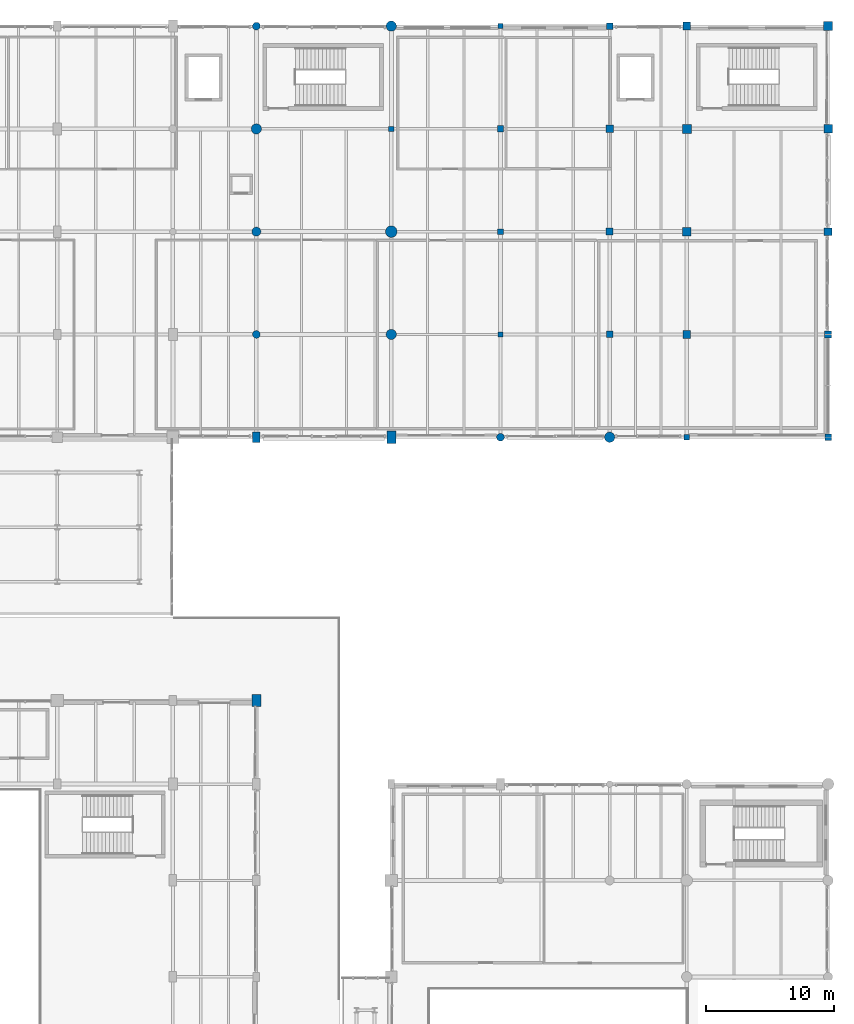
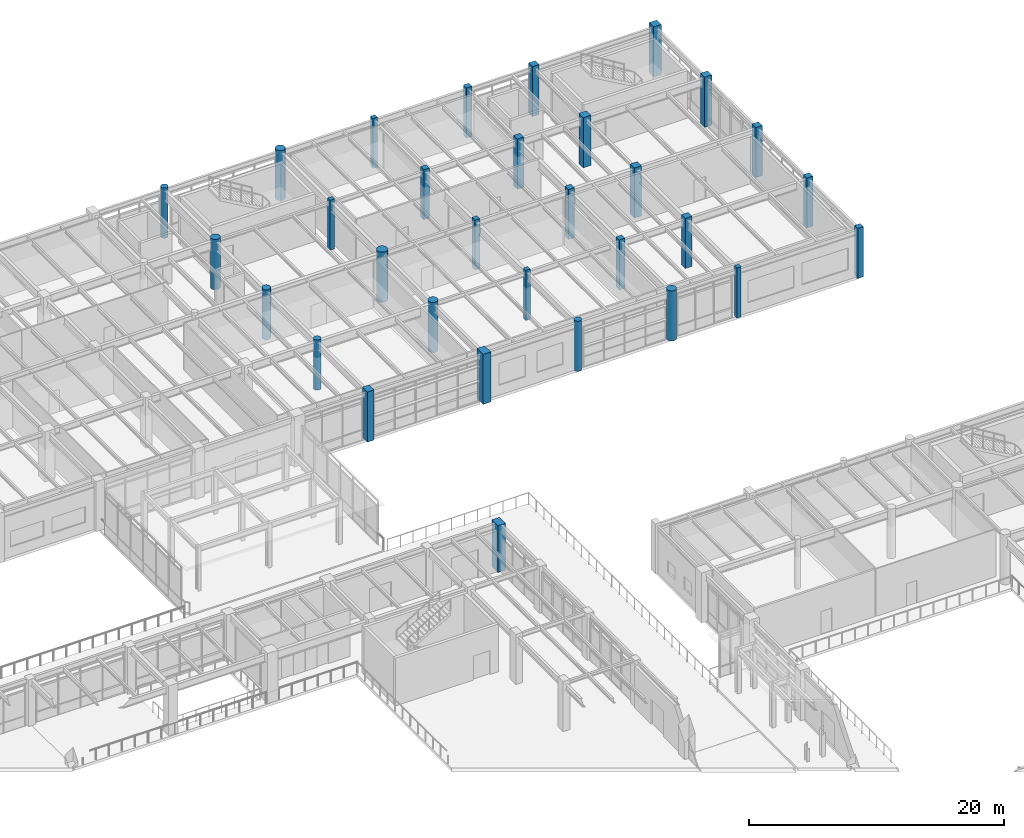
# One storey, part 16 of 200: 31 columns.
"""IFC4 building model written with IfcOpenShell, lengths in metres."""

import ifcopenshell
import ifcopenshell.guid

model = None  # the IFC model being written
_history = None  # IfcOwnerHistory: only IFC2X3 demands one
_inside = {}  # id of a spatial element -> (the spatial element, [elements in it])
_under = {}  # id of a project, library or spatial element -> (it, [spatial elements below it])
_declared = {}  # id of a project -> (the project, [libraries it declares])
_typed = {}  # id of a type object -> (the type object, [elements of that type])
_made_of = {}  # id of a material, layer set ... -> (it, [elements and type objects made of it])


def new_model(schema):
    """Start an empty IFC model of exactly this schema.

    Asked for "IFC4X3", IfcOpenShell would pick the latest addendum, in which some entities
    have other attributes; the version numbers below select the first issue.
    IFC2X3 requires an IfcOwnerHistory on every rooted entity: one is made here for all.
    """
    global model, _history
    if schema == "IFC4X3":
        model = ifcopenshell.file(schema_version=(4, 3, 0, 0))
    else:
        model = ifcopenshell.file(schema=schema)
    _inside.clear()
    _under.clear()
    _declared.clear()
    _typed.clear()
    _made_of.clear()
    _history = None
    if model.schema == "IFC2X3":
        org = make("IfcOrganization", Name="unknown")
        user = make(
            "IfcPersonAndOrganization",
            ThePerson=make("IfcPerson", FamilyName="unknown"),
            TheOrganization=org,
        )
        app = make(
            "IfcApplication",
            ApplicationDeveloper=org,
            Version="unknown",
            ApplicationFullName="unknown",
            ApplicationIdentifier="unknown",
        )
        _history = make(
            "IfcOwnerHistory",
            OwningUser=user,
            OwningApplication=app,
            ChangeAction="ADDED",
            CreationDate=0,
        )
    return model


def make(cls, **values):
    """One entity of the class cls with the attributes given. An attribute that is None is left unset."""
    return model.create_entity(
        cls, **{name: value for name, value in values.items() if value is not None}
    )


def rooted(cls, **values):
    """An entity with a GlobalId (a new one), such as an element, a storey or a relation."""
    return make(cls, GlobalId=ifcopenshell.guid.new(), OwnerHistory=_history, **values)


def si_unit(unit_type, name, prefix=None):
    """IfcSIUnit, for example si_unit("LENGTHUNIT", "METRE", prefix="MILLI")."""
    return make("IfcSIUnit", UnitType=unit_type, Prefix=prefix, Name=name)


def assignment(units):
    """IfcUnitAssignment: the units of a project."""
    return None if units is None else make("IfcUnitAssignment", Units=units)


def point(xyz):
    """IfcCartesianPoint."""
    return None if xyz is None else make("IfcCartesianPoint", Coordinates=xyz)


def direction(xyz):
    """IfcDirection."""
    return None if xyz is None else make("IfcDirection", DirectionRatios=xyz)


def frame(location, z_axis=None, x_axis=None):
    """IfcAxis2Placement3D, a coordinate frame: its origin and axes. An axis left out is left unset."""
    return make(
        "IfcAxis2Placement3D",
        Location=point(location),
        Axis=direction(z_axis),
        RefDirection=direction(x_axis),
    )


def frame_2d(location, x_axis=None):
    """IfcAxis2Placement2D, a coordinate frame in the plane: its origin and x axis."""
    return make(
        "IfcAxis2Placement2D", Location=point(location), RefDirection=direction(x_axis)
    )


def origin():
    """The frame at (0, 0, 0) with its axes left unset."""
    return frame((0.0, 0.0, 0.0))


def origin_2d():
    """The frame at (0, 0) in the plane with its x axis left unset."""
    return frame_2d((0.0, 0.0))


def place(relative_to, where):
    """IfcLocalPlacement: puts the frame where relative to a parent placement (None: the world)."""
    return make(
        "IfcLocalPlacement", PlacementRelTo=relative_to, RelativePlacement=where
    )


def context(
    kind, dimensions, precision=None, world=None, true_north=None, identifier=None
):
    """IfcGeometricRepresentationContext, for example the 3D "Model" context."""
    return make(
        "IfcGeometricRepresentationContext",
        ContextIdentifier=identifier,
        ContextType=kind,
        CoordinateSpaceDimension=dimensions,
        Precision=precision,
        WorldCoordinateSystem=world,
        TrueNorth=true_north,
    )


def subcontext(parent, identifier, kind, view, scale=None):
    """IfcGeometricRepresentationSubContext, for example "Body" below "Model"."""
    return make(
        "IfcGeometricRepresentationSubContext",
        ContextIdentifier=identifier,
        ContextType=kind,
        ParentContext=parent,
        TargetScale=scale,
        TargetView=view,
    )


def project(units=None, contexts=None):
    """IfcProject with its units and contexts."""
    return rooted(
        "IfcProject",
        Name="project",
        RepresentationContexts=contexts,
        UnitsInContext=assignment(units),
    )


def spatial(cls, under=None, at=None, **own):
    """A site, building, storey or space (cls), placed at a placement, below another one or the project."""
    s = rooted(cls, ObjectPlacement=at, **own)
    if under is not None:
        _under.setdefault(under.id(), (under, []))[1].append(s)
    return s


def profile(cls, at=None, kind="AREA", **sizes):
    """A parametric profile (cls). Its sizes go by their IFC names, for example OverallWidth=200.0."""
    return make(cls, ProfileType=kind, Position=at, **sizes)


def rectangle(**sizes):
    """IfcRectangleProfileDef."""
    return profile("IfcRectangleProfileDef", **sizes)


def circle(**sizes):
    """IfcCircleProfileDef."""
    return profile("IfcCircleProfileDef", **sizes)


def extrude(swept, where, along, depth):
    """IfcExtrudedAreaSolid: the profile swept, set in the frame where, extruded along a direction by depth."""
    return make(
        "IfcExtrudedAreaSolid",
        SweptArea=swept,
        Position=where,
        ExtrudedDirection=direction(along),
        Depth=depth,
    )


def shape(context_of_items, identifier, shape_type, items):
    """IfcShapeRepresentation: the items that make up one representation, for example the "Body"."""
    return make(
        "IfcShapeRepresentation",
        ContextOfItems=context_of_items,
        RepresentationIdentifier=identifier,
        RepresentationType=shape_type,
        Items=items,
    )


def material(Name=None, Category=None):
    """IfcMaterial."""
    return make("IfcMaterial", Name=Name, Category=Category)


def material_profile(
    of_material, cross_section, Name=None, Category=None, Priority=None
):
    """IfcMaterialProfile: a cross section and its material."""
    return make(
        "IfcMaterialProfile",
        Name=Name,
        Material=of_material,
        Profile=cross_section,
        Priority=Priority,
        Category=Category,
    )


def profile_set(profiles, Name=None, composite=None):
    """IfcMaterialProfileSet."""
    return make(
        "IfcMaterialProfileSet",
        Name=Name,
        MaterialProfiles=profiles,
        CompositeProfile=composite,
    )


def made_of(thing, what):
    """Note that an element or type object is made of a material, layer set ...; save() writes the relation."""
    if what is not None:
        _made_of.setdefault(what.id(), (what, []))[1].append(thing)
    return thing


def type_object(cls, material=None, **own):
    """A type object (cls), such as IfcWallType, which elements share."""
    return made_of(rooted(cls, **own), material)


def element(
    cls,
    number,
    at=None,
    inside=None,
    cuts=None,
    type_object=None,
    material=None,
    context=None,
    identifier="Body",
    shape_type=None,
    held_by="IfcProductDefinitionShape",
    body=None,
    shapes=None,
    **own,
):
    """One element of the class cls, such as IfcWall. Its Tag is "e" and its number.

    at: its placement. inside: the storey or other place that contains it. cuts: it is an
    opening in that element (IfcRelVoidsElement). A single representation is given by context,
    identifier, shape_type and body (its items); several are given by shapes. held_by: the class
    of the entity that holds the representations. save() writes the other relations.
    """
    e = rooted(cls, Tag="e%d" % number, ObjectPlacement=at, **own)
    if body is not None:
        shapes = [shape(context, identifier, shape_type, body)]
    if shapes is not None:
        e.Representation = make(held_by, Representations=shapes)
    if inside is not None:
        _inside.setdefault(inside.id(), (inside, []))[1].append(e)
    if cuts is not None:
        rooted(
            "IfcRelVoidsElement", RelatingBuildingElement=cuts, RelatedOpeningElement=e
        )
    if type_object is not None:
        _typed.setdefault(type_object.id(), (type_object, []))[1].append(e)
    return made_of(e, material)


def aggregate(whole, parts):
    """IfcRelAggregates: a whole, such as a stair, and the parts it consists of."""
    return rooted("IfcRelAggregates", RelatingObject=whole, RelatedObjects=parts)


def save(model, path):
    """Write the relations noted so far, then the file.

    IfcRelAggregates (storeys below a building ...), IfcRelContainedInSpatialStructure (elements
    in a storey), IfcRelDefinesByType, IfcRelAssociatesMaterial and IfcRelDeclares: one each for
    every whole, place, type object, material and project.
    """
    for whole, parts in _under.values():
        aggregate(whole, parts)
    for where, things in _inside.values():
        rooted(
            "IfcRelContainedInSpatialStructure",
            RelatedElements=things,
            RelatingStructure=where,
        )
    for kind, things in _typed.values():
        rooted("IfcRelDefinesByType", RelatedObjects=things, RelatingType=kind)
    for what, things in _made_of.values():
        rooted("IfcRelAssociatesMaterial", RelatedObjects=things, RelatingMaterial=what)
    for by, libraries in _declared.values():
        rooted("IfcRelDeclares", RelatingContext=by, RelatedDefinitions=libraries)
    model.write(path)


model = new_model("IFC4")

# Units and contexts
model_context = context("Model", 3, precision=1e-05, world=origin(), true_north=direction((0.0, 1.0)))
body_context = subcontext(model_context, "Body", "Model", "MODEL_VIEW")
ifc_project = project(units=[si_unit("LENGTHUNIT", "METRE"), si_unit("AREAUNIT", "SQUARE_METRE"), si_unit("VOLUMEUNIT", "CUBIC_METRE"), si_unit("PLANEANGLEUNIT", "RADIAN"), si_unit("MASSUNIT", "GRAM", prefix="KILO"), si_unit("THERMODYNAMICTEMPERATUREUNIT", "KELVIN"), si_unit("POWERUNIT", "WATT")], contexts=[model_context])

# Site, building, storey
site_placement = place(None, origin())
site = spatial("IfcSite", under=ifc_project, at=site_placement, CompositionType="ELEMENT")
building_placement = place(site_placement, origin())
building = spatial("IfcBuilding", under=site, at=building_placement, Name="Tepalcoro Natatorium and Aquatics Centre", CompositionType="ELEMENT")
storey_placement = place(building_placement, frame((0.0, 0.0, 5.39990234375)))
storey = spatial("IfcBuildingStorey", under=building, at=storey_placement, Name="L01", CompositionType="ELEMENT", Elevation=5.39990234375)

# Columns
ifc_material = material(Name="Concrete C40/50 (fc 40 MPa)", Category="concrete")
ifc_material_profile_1 = material_profile(ifc_material, rectangle(XDim=0.39990234375, YDim=0.39990234375, at=origin_2d()), Name="RC400x400")
ifc_profile_set_1 = profile_set([ifc_material_profile_1], Name="Concrete C40/50 (fc 40 MPa)")
column_type_1 = type_object("IfcColumnType", Name="COL_RC_400x400", PredefinedType="COLUMN", material=ifc_profile_set_1)
for number, where, z_axis, x_axis, name in (
    (1, (142.0, 110.0, 0.0), (0.0, 0.0, 1.0), (1.0, 0.0, 0.0), "V5 L01 Grid Column (142.0, 110.0)"),
    (2, (150.5, 94.0, 0.0), (0.0, 0.0, 1.0), (1.0, 0.0, 0.0), "V5 L01 Grid Column (150.5, 94.0)"),
    (3, (150.5, 118.0, 0.0), (0.0, 0.0, 1.0), (1.0, 0.0, 0.0), "V5 L01 Grid Column (150.5, 118.0)"),
    (4, (165.0, 86.0, 0.0), (0.0, 0.0, 1.0), (1.0, 0.0, 0.0), "V5 L01 Grid Column (165.0, 86.0)"),
):
    element("IfcColumn", number, at=place(storey_placement, frame(where, z_axis=z_axis, x_axis=x_axis)), inside=storey, type_object=column_type_1, Name=name, PredefinedType="COLUMN", context=body_context, shape_type="SweptSolid", body=[
        extrude(rectangle(XDim=0.39990234375, YDim=0.39990234375, at=origin_2d()), origin(), (0.0, 0.0, 1.0), 4.800048828125),
    ])
ifc_material_profile_2 = material_profile(ifc_material, rectangle(XDim=0.449951171875, YDim=0.449951171875, at=origin_2d()), Name="RC450x450")
ifc_profile_set_2 = profile_set([ifc_material_profile_2], Name="Concrete C40/50 (fc 40 MPa)")
column_type_2 = type_object("IfcColumnType", Name="COL_RC_450x450", PredefinedType="COLUMN", material=ifc_profile_set_2)
column_1_placement = place(storey_placement, frame((150.5, 102.0, 0.0), z_axis=(0.0, 0.0, 1.0), x_axis=(1.0, 0.0, 0.0)))
element("IfcColumn", 5, at=column_1_placement, inside=storey, type_object=column_type_2, Name="V5 L01 Grid Column (150.5, 102.0)", PredefinedType="COLUMN", context=body_context, shape_type="SweptSolid", body=[
    extrude(rectangle(XDim=0.449951171875, YDim=0.449951171875, at=origin_2d()), origin(), (0.0, 0.0, 1.0), 4.800048828125),
])
ifc_material_profile_3 = material_profile(ifc_material, rectangle(XDim=0.5, YDim=0.5, at=origin_2d()), Name="RC500x500")
ifc_profile_set_3 = profile_set([ifc_material_profile_3], Name="Concrete C40/50 (fc 40 MPa)")
column_type_3 = type_object("IfcColumnType", Name="COL_RC_500x500", PredefinedType="COLUMN", material=ifc_profile_set_3)
for number, where, z_axis, x_axis, name in (
    (6, (150.5, 110.0, 0.0), (0.0, 0.0, 1.0), (1.0, 0.0, 0.0), "V5 L01 Grid Column (150.5, 110.0)"),
    (7, (159.0, 94.0, 0.0), (0.0, 0.0, 1.0), (1.0, 0.0, 0.0), "V5 L01 Grid Column (159.0, 94.0)"),
    (8, (159.0, 118.0, 0.0), (0.0, 0.0, 1.0), (1.0, 0.0, 0.0), "V5 L01 Grid Column (159.0, 118.0)"),
    (9, (176.0, 86.0, 0.0), (0.0, 0.0, 1.0), (1.0, 0.0, 0.0), "V5 L01 Grid Column (176.0, 86.0)"),
):
    element("IfcColumn", number, at=place(storey_placement, frame(where, z_axis=z_axis, x_axis=x_axis)), inside=storey, type_object=column_type_3, Name=name, PredefinedType="COLUMN", context=body_context, shape_type="SweptSolid", body=[
        extrude(rectangle(XDim=0.5, YDim=0.5, at=origin_2d()), origin(), (0.0, 0.0, 1.0), 4.800048828125),
    ])
ifc_material_profile_4 = material_profile(ifc_material, rectangle(XDim=0.550048828125, YDim=0.550048828125, at=origin_2d()), Name="RC550x550")
ifc_profile_set_4 = profile_set([ifc_material_profile_4], Name="Concrete C40/50 (fc 40 MPa)")
column_type_4 = type_object("IfcColumnType", Name="COL_RC_550x550", PredefinedType="COLUMN", material=ifc_profile_set_4)
for number, where, z_axis, x_axis, name in (
    (10, (159.0, 102.0, 0.0), (0.0, 0.0, 1.0), (1.0, 0.0, 0.0), "V5 L01 Grid Column (159.0, 102.0)"),
    (11, (176.0, 94.0, 0.0), (0.0, 0.0, 1.0), (1.0, 0.0, 0.0), "V5 L01 Grid Column (176.0, 94.0)"),
):
    element("IfcColumn", number, at=place(storey_placement, frame(where, z_axis=z_axis, x_axis=x_axis)), inside=storey, type_object=column_type_4, Name=name, PredefinedType="COLUMN", context=body_context, shape_type="SweptSolid", body=[
        extrude(rectangle(XDim=0.550048828125, YDim=0.550048828125, at=origin_2d()), origin(), (0.0, 0.0, 1.0), 4.800048828125),
    ])
ifc_material_profile_5 = material_profile(ifc_material, rectangle(XDim=0.60009765625, YDim=0.60009765625, at=origin_2d()), Name="RC600x600")
ifc_profile_set_5 = profile_set([ifc_material_profile_5], Name="Concrete C40/50 (fc 40 MPa)")
column_type_5 = type_object("IfcColumnType", Name="COL_RC_600x600", PredefinedType="COLUMN", material=ifc_profile_set_5)
for number, where, z_axis, x_axis, name in (
    (12, (159.0, 110.0, 0.0), (0.0, 0.0, 1.0), (1.0, 0.0, 0.0), "V5 L01 Grid Column (159.0, 110.0)"),
    (13, (165.0, 94.0, 0.0), (0.0, 0.0, 1.0), (1.0, 0.0, 0.0), "V5 L01 Grid Column (165.0, 94.0)"),
    (14, (165.0, 118.0, 0.0), (0.0, 0.0, 1.0), (1.0, 0.0, 0.0), "V5 L01 Grid Column (165.0, 118.0)"),
    (15, (176.0, 102.0, 0.0), (0.0, 0.0, 1.0), (1.0, 0.0, 0.0), "V5 L01 Grid Column (176.0, 102.0)"),
):
    element("IfcColumn", number, at=place(storey_placement, frame(where, z_axis=z_axis, x_axis=x_axis)), inside=storey, type_object=column_type_5, Name=name, PredefinedType="COLUMN", context=body_context, shape_type="SweptSolid", body=[
        extrude(rectangle(XDim=0.60009765625, YDim=0.60009765625, at=origin_2d()), origin(), (0.0, 0.0, 1.0), 4.800048828125),
    ])
ifc_material_profile_6 = material_profile(ifc_material, rectangle(XDim=0.60009765625, YDim=0.800048828125, at=origin_2d()), Name="RC600x800")
ifc_profile_set_6 = profile_set([ifc_material_profile_6], Name="Concrete C40/50 (fc 40 MPa)")
column_type_6 = type_object("IfcColumnType", Name="COL_RC_600x800", PredefinedType="COLUMN", material=ifc_profile_set_6)
column_2_placement = place(storey_placement, frame((131.5, 86.0, 0.0), z_axis=(0.0, 0.0, 1.0), x_axis=(1.0, 0.0, 0.0)))
element("IfcColumn", 16, at=column_2_placement, inside=storey, type_object=column_type_6, Name="V5 L01 Grid Column (131.5, 86.0)", PredefinedType="COLUMN", context=body_context, shape_type="SweptSolid", body=[
    extrude(rectangle(XDim=0.60009765625, YDim=0.800048828125, at=origin_2d()), origin(), (0.0, 0.0, 1.0), 4.800048828125),
])
ifc_material_profile_7 = material_profile(ifc_material, rectangle(XDim=0.64990234375, YDim=0.64990234375, at=origin_2d()), Name="RC650x650")
ifc_profile_set_7 = profile_set([ifc_material_profile_7], Name="Concrete C40/50 (fc 40 MPa)")
column_type_7 = type_object("IfcColumnType", Name="COL_RC_650x650", PredefinedType="COLUMN", material=ifc_profile_set_7)
for number, where, z_axis, x_axis, name in (
    (17, (165.0, 102.0, 0.0), (0.0, 0.0, 1.0), (1.0, 0.0, 0.0), "V5 L01 Grid Column (165.0, 102.0)"),
    (18, (176.0, 110.0, 0.0), (0.0, 0.0, 1.0), (1.0, 0.0, 0.0), "V5 L01 Grid Column (176.0, 110.0)"),
):
    element("IfcColumn", number, at=place(storey_placement, frame(where, z_axis=z_axis, x_axis=x_axis)), inside=storey, type_object=column_type_7, Name=name, PredefinedType="COLUMN", context=body_context, shape_type="SweptSolid", body=[
        extrude(rectangle(XDim=0.64990234375, YDim=0.64990234375, at=origin_2d()), origin(), (0.0, 0.0, 1.0), 4.800048828125),
    ])
ifc_material_profile_8 = material_profile(ifc_material, rectangle(XDim=0.699951171875, YDim=0.699951171875, at=origin_2d()), Name="RC700x700")
ifc_profile_set_8 = profile_set([ifc_material_profile_8], Name="Concrete C40/50 (fc 40 MPa)")
column_type_8 = type_object("IfcColumnType", Name="COL_RC_700x700", PredefinedType="COLUMN", material=ifc_profile_set_8)
for number, where, z_axis, x_axis, name in (
    (19, (165.0, 110.0, 0.0), (0.0, 0.0, 1.0), (1.0, 0.0, 0.0), "V5 L01 Grid Column (165.0, 110.0)"),
    (20, (176.0, 118.0, 0.0), (0.0, 0.0, 1.0), (1.0, 0.0, 0.0), "V5 L01 Grid Column (176.0, 118.0)"),
):
    element("IfcColumn", number, at=place(storey_placement, frame(where, z_axis=z_axis, x_axis=x_axis)), inside=storey, type_object=column_type_8, Name=name, PredefinedType="COLUMN", context=body_context, shape_type="SweptSolid", body=[
        extrude(rectangle(XDim=0.699951171875, YDim=0.699951171875, at=origin_2d()), origin(), (0.0, 0.0, 1.0), 4.800048828125),
    ])
ifc_material_profile_9 = material_profile(ifc_material, rectangle(XDim=0.699951171875, YDim=0.949951171875, at=origin_2d()), Name="RC700x950")
ifc_profile_set_9 = profile_set([ifc_material_profile_9], Name="Concrete C40/50 (fc 40 MPa)")
column_type_9 = type_object("IfcColumnType", Name="COL_RC_700x950", PredefinedType="COLUMN", material=ifc_profile_set_9)
column_3_placement = place(storey_placement, frame((131.5, 65.5, 0.0), z_axis=(0.0, 0.0, 1.0), x_axis=(1.0, 0.0, 0.0)))
element("IfcColumn", 21, at=column_3_placement, inside=storey, type_object=column_type_9, Name="V1 L01 Grid Column (131.5, 65.5)", PredefinedType="COLUMN", context=body_context, shape_type="SweptSolid", body=[
    extrude(rectangle(XDim=0.699951171875, YDim=0.949951171875, at=origin_2d()), origin(), (0.0, 0.0, 1.0), 4.47998046875),
])
column_4_placement = place(storey_placement, frame((142.0, 86.0, 0.0), z_axis=(0.0, 0.0, 1.0), x_axis=(1.0, 0.0, 0.0)))
element("IfcColumn", 22, at=column_4_placement, inside=storey, type_object=column_type_9, Name="V5 L01 Grid Column (142.0, 86.0)", PredefinedType="COLUMN", context=body_context, shape_type="SweptSolid", body=[
    extrude(rectangle(XDim=0.699951171875, YDim=0.949951171875, at=origin_2d()), origin(), (0.0, 0.0, 1.0), 4.800048828125),
])
ifc_material_profile_10 = material_profile(ifc_material, circle(Radius=0.300048828125, at=origin_2d()), Name="RCD600")
ifc_profile_set_10 = profile_set([ifc_material_profile_10], Name="Concrete C40/50 (fc 40 MPa)")
column_type_10 = type_object("IfcColumnType", Name="COL_RC_D600", PredefinedType="COLUMN", material=ifc_profile_set_10)
for number, where, z_axis, x_axis, name in (
    (23, (131.5, 94.0, 0.0), (0.0, 0.0, 1.0), (1.0, 0.0, 0.0), "V5 L01 Grid Column (131.5, 94.0)"),
    (24, (131.5, 118.0, 0.0), (0.0, 0.0, 1.0), (1.0, 0.0, 0.0), "V5 L01 Grid Column (131.5, 118.0)"),
    (25, (150.5, 86.0, 0.0), (0.0, 0.0, 1.0), (1.0, 0.0, 0.0), "V5 L01 Grid Column (150.5, 86.0)"),
):
    element("IfcColumn", number, at=place(storey_placement, frame(where, z_axis=z_axis, x_axis=x_axis)), inside=storey, type_object=column_type_10, Name=name, PredefinedType="COLUMN", context=body_context, shape_type="SweptSolid", body=[
        extrude(circle(Radius=0.300048828125, at=origin_2d()), origin(), (0.0, 0.0, 1.0), 4.800048828125),
    ])
ifc_material_profile_11 = material_profile(ifc_material, circle(Radius=0.35009765625, at=origin_2d()), Name="RCD700")
ifc_profile_set_11 = profile_set([ifc_material_profile_11], Name="Concrete C40/50 (fc 40 MPa)")
column_type_11 = type_object("IfcColumnType", Name="COL_RC_D700", PredefinedType="COLUMN", material=ifc_profile_set_11)
column_5_placement = place(storey_placement, frame((131.5, 102.0, 0.0), z_axis=(0.0, 0.0, 1.0), x_axis=(1.0, 0.0, 0.0)))
element("IfcColumn", 26, at=column_5_placement, inside=storey, type_object=column_type_11, Name="V5 L01 Grid Column (131.5, 102.0)", PredefinedType="COLUMN", context=body_context, shape_type="SweptSolid", body=[
    extrude(circle(Radius=0.35009765625, at=origin_2d()), origin(), (0.0, 0.0, 1.0), 4.800048828125),
])
ifc_material_profile_12 = material_profile(ifc_material, circle(Radius=0.39990234375, at=origin_2d()), Name="RCD800")
ifc_profile_set_12 = profile_set([ifc_material_profile_12], Name="Concrete C40/50 (fc 40 MPa)")
column_type_12 = type_object("IfcColumnType", Name="COL_RC_D800", PredefinedType="COLUMN", material=ifc_profile_set_12)
for number, where, z_axis, x_axis, name in (
    (27, (131.5, 110.0, 0.0), (0.0, 0.0, 1.0), (1.0, 0.0, 0.0), "V5 L01 Grid Column (131.5, 110.0)"),
    (28, (142.0, 94.0, 0.0), (0.0, 0.0, 1.0), (1.0, 0.0, 0.0), "V5 L01 Grid Column (142.0, 94.0)"),
    (29, (142.0, 118.0, 0.0), (0.0, 0.0, 1.0), (1.0, 0.0, 0.0), "V5 L01 Grid Column (142.0, 118.0)"),
    (30, (159.0, 86.0, 0.0), (0.0, 0.0, 1.0), (1.0, 0.0, 0.0), "V5 L01 Grid Column (159.0, 86.0)"),
):
    element("IfcColumn", number, at=place(storey_placement, frame(where, z_axis=z_axis, x_axis=x_axis)), inside=storey, type_object=column_type_12, Name=name, PredefinedType="COLUMN", context=body_context, shape_type="SweptSolid", body=[
        extrude(circle(Radius=0.39990234375, at=origin_2d()), origin(), (0.0, 0.0, 1.0), 4.800048828125),
    ])
ifc_material_profile_13 = material_profile(ifc_material, circle(Radius=0.449951171875, at=origin_2d()), Name="RCD900")
ifc_profile_set_13 = profile_set([ifc_material_profile_13], Name="Concrete C40/50 (fc 40 MPa)")
column_type_13 = type_object("IfcColumnType", Name="COL_RC_D900", PredefinedType="COLUMN", material=ifc_profile_set_13)
column_6_placement = place(storey_placement, frame((142.0, 102.0, 0.0), z_axis=(0.0, 0.0, 1.0), x_axis=(1.0, 0.0, 0.0)))
element("IfcColumn", 31, at=column_6_placement, inside=storey, type_object=column_type_13, Name="V5 L01 Grid Column (142.0, 102.0)", PredefinedType="COLUMN", context=body_context, shape_type="SweptSolid", body=[
    extrude(circle(Radius=0.449951171875, at=origin_2d()), origin(), (0.0, 0.0, 1.0), 4.800048828125),
])

save(model, "model.ifc")
